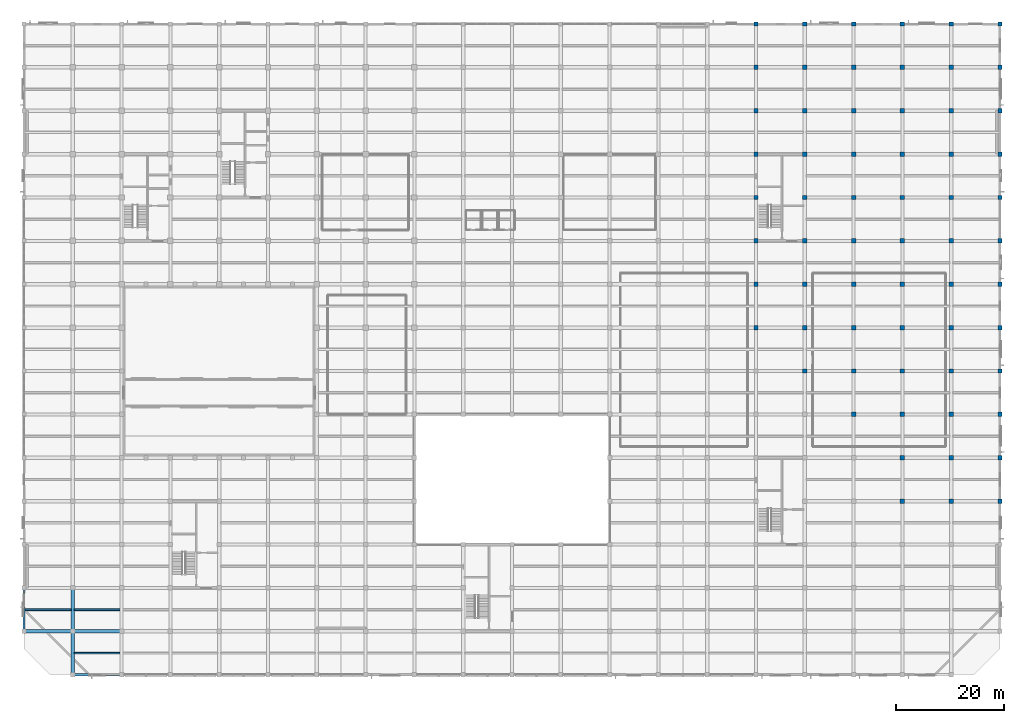
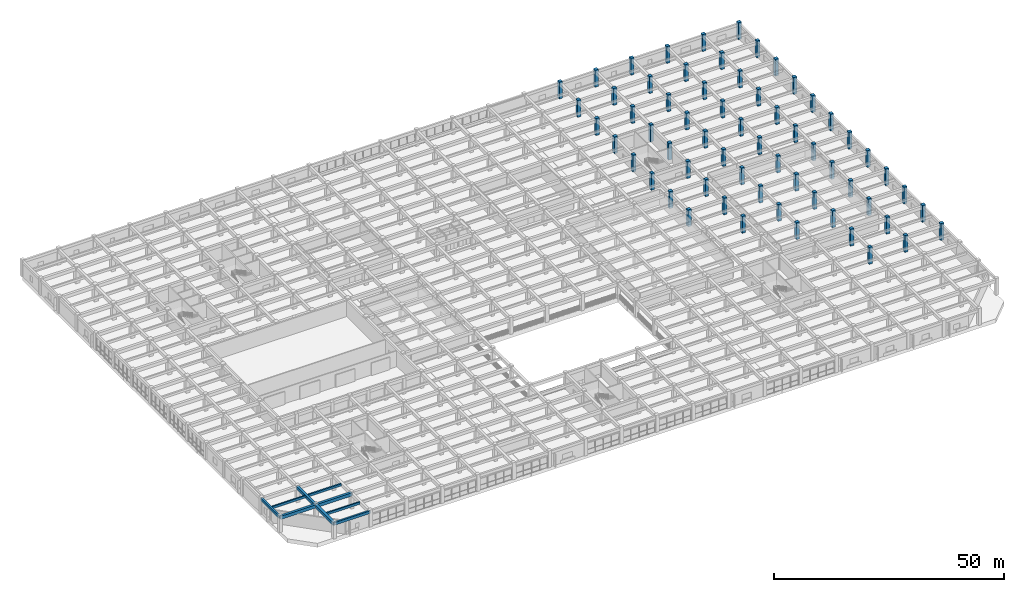
# One storey, part 2 of 50: 63 columns, 9 beams.
"""IFC4 building model written with IfcOpenShell, lengths in metres."""

from ifc_helpers import new_model, si_unit, direction, frame, origin, origin_2d, place, context, subcontext, project, spatial, rectangle, extrude, material, material_profile, profile_set, type_object, element, save


model = new_model("IFC4")

# Units and contexts
model_context = context("Model", 3, precision=1e-05, world=origin(), true_north=direction((0.0, 1.0)))
body_context = subcontext(model_context, "Body", "Model", "MODEL_VIEW")
ifc_project = project(units=[si_unit("LENGTHUNIT", "METRE"), si_unit("AREAUNIT", "SQUARE_METRE"), si_unit("VOLUMEUNIT", "CUBIC_METRE"), si_unit("PLANEANGLEUNIT", "RADIAN"), si_unit("MASSUNIT", "GRAM", prefix="KILO")], contexts=[model_context])

# Site, building, storey
site_placement = place(None, origin())
site = spatial("IfcSite", under=ifc_project, at=site_placement, CompositionType="ELEMENT")
building_placement = place(site_placement, origin())
building = spatial("IfcBuilding", under=site, at=building_placement, Name="Zaverband Oceanarium and Marine Research Institute", CompositionType="ELEMENT")
storey_placement = place(building_placement, frame((0.0, 0.0, 4.5)))
storey = spatial("IfcBuildingStorey", under=building, at=storey_placement, Name="L01", CompositionType="ELEMENT", Elevation=4.5)

# Columns
ifc_material_1 = material(Name="Concrete C50/60", Category="concrete")
ifc_material_profile_1 = material_profile(ifc_material_1, rectangle(XDim=0.800048828125, YDim=0.800048828125, at=origin_2d()), Name="RC800x800")
ifc_profile_set_1 = profile_set([ifc_material_profile_1], Name="Concrete C50/60")
column_type = type_object("IfcColumnType", Name="COL-C800", PredefinedType="COLUMN", material=ifc_profile_set_1)
for number, where, z_axis, x_axis, name in (
    (1, (135.0, 64.0, 0.0), (0.0, 0.0, 1.0), (1.0, 0.0, 0.0), "Reinforced concrete column RC800x800 COL-C800"),
    (2, (135.0, 72.0, 0.0), (0.0, 0.0, 1.0), (1.0, 0.0, 0.0), "Reinforced concrete column RC800x800 COL-C800"),
    (3, (135.0, 80.0, 0.0), (0.0, 0.0, 1.0), (1.0, 0.0, 0.0), "Reinforced concrete column RC800x800 COL-C800"),
    (4, (135.0, 88.0, 0.0), (0.0, 0.0, 1.0), (1.0, 0.0, 0.0), "Reinforced concrete column RC800x800 COL-C800"),
    (5, (135.0, 96.0, 0.0), (0.0, 0.0, 1.0), (1.0, 0.0, 0.0), "Reinforced concrete column RC800x800 COL-C800"),
    (6, (135.0, 104.0, 0.0), (0.0, 0.0, 1.0), (1.0, 0.0, 0.0), "Reinforced concrete column RC800x800 COL-C800"),
    (7, (135.0, 112.0, 0.0), (0.0, 0.0, 1.0), (1.0, 0.0, 0.0), "Reinforced concrete column RC800x800 COL-C800"),
    (8, (135.0, 120.0, 0.0), (0.0, 0.0, 1.0), (1.0, 0.0, 0.0), "Reinforced concrete column RC800x800 COL-C800"),
    (9, (144.0, 56.0, 0.0), (0.0, 0.0, 1.0), (1.0, 0.0, 0.0), "Reinforced concrete column RC800x800 COL-C800"),
    (10, (144.0, 64.0, 0.0), (0.0, 0.0, 1.0), (1.0, 0.0, 0.0), "Reinforced concrete column RC800x800 COL-C800"),
    (11, (144.0, 72.0, 0.0), (0.0, 0.0, 1.0), (1.0, 0.0, 0.0), "Reinforced concrete column RC800x800 COL-C800"),
    (12, (144.0, 80.0, 0.0), (0.0, 0.0, 1.0), (1.0, 0.0, 0.0), "Reinforced concrete column RC800x800 COL-C800"),
    (13, (144.0, 88.0, 0.0), (0.0, 0.0, 1.0), (1.0, 0.0, 0.0), "Reinforced concrete column RC800x800 COL-C800"),
    (14, (144.0, 96.0, 0.0), (0.0, 0.0, 1.0), (1.0, 0.0, 0.0), "Reinforced concrete column RC800x800 COL-C800"),
    (15, (144.0, 104.0, 0.0), (0.0, 0.0, 1.0), (1.0, 0.0, 0.0), "Reinforced concrete column RC800x800 COL-C800"),
    (16, (144.0, 112.0, 0.0), (0.0, 0.0, 1.0), (1.0, 0.0, 0.0), "Reinforced concrete column RC800x800 COL-C800"),
    (17, (144.0, 120.0, 0.0), (0.0, 0.0, 1.0), (1.0, 0.0, 0.0), "Reinforced concrete column RC800x800 COL-C800"),
    (18, (153.0, 48.0, 0.0), (0.0, 0.0, 1.0), (1.0, 0.0, 0.0), "Reinforced concrete column RC800x800 COL-C800"),
    (19, (153.0, 56.0, 0.0), (0.0, 0.0, 1.0), (1.0, 0.0, 0.0), "Reinforced concrete column RC800x800 COL-C800"),
    (20, (153.0, 64.0, 0.0), (0.0, 0.0, 1.0), (1.0, 0.0, 0.0), "Reinforced concrete column RC800x800 COL-C800"),
    (21, (153.0, 72.0, 0.0), (0.0, 0.0, 1.0), (1.0, 0.0, 0.0), "Reinforced concrete column RC800x800 COL-C800"),
    (22, (153.0, 80.0, 0.0), (0.0, 0.0, 1.0), (1.0, 0.0, 0.0), "Reinforced concrete column RC800x800 COL-C800"),
    (23, (153.0, 88.0, 0.0), (0.0, 0.0, 1.0), (1.0, 0.0, 0.0), "Reinforced concrete column RC800x800 COL-C800"),
    (24, (153.0, 96.0, 0.0), (0.0, 0.0, 1.0), (1.0, 0.0, 0.0), "Reinforced concrete column RC800x800 COL-C800"),
    (25, (153.0, 104.0, 0.0), (0.0, 0.0, 1.0), (1.0, 0.0, 0.0), "Reinforced concrete column RC800x800 COL-C800"),
    (26, (153.0, 112.0, 0.0), (0.0, 0.0, 1.0), (1.0, 0.0, 0.0), "Reinforced concrete column RC800x800 COL-C800"),
    (27, (153.0, 120.0, 0.0), (0.0, 0.0, 1.0), (1.0, 0.0, 0.0), "Reinforced concrete column RC800x800 COL-C800"),
    (28, (162.0, 32.0, 0.0), (0.0, 0.0, 1.0), (1.0, 0.0, 0.0), "Reinforced concrete column RC800x800 COL-C800"),
    (29, (162.0, 40.0, 0.0), (0.0, 0.0, 1.0), (1.0, 0.0, 0.0), "Reinforced concrete column RC800x800 COL-C800"),
    (30, (162.0, 48.0, 0.0), (0.0, 0.0, 1.0), (1.0, 0.0, 0.0), "Reinforced concrete column RC800x800 COL-C800"),
    (31, (162.0, 56.0, 0.0), (0.0, 0.0, 1.0), (1.0, 0.0, 0.0), "Reinforced concrete column RC800x800 COL-C800"),
    (32, (162.0, 64.0, 0.0), (0.0, 0.0, 1.0), (1.0, 0.0, 0.0), "Reinforced concrete column RC800x800 COL-C800"),
    (33, (162.0, 72.0, 0.0), (0.0, 0.0, 1.0), (1.0, 0.0, 0.0), "Reinforced concrete column RC800x800 COL-C800"),
    (34, (162.0, 80.0, 0.0), (0.0, 0.0, 1.0), (1.0, 0.0, 0.0), "Reinforced concrete column RC800x800 COL-C800"),
    (35, (162.0, 88.0, 0.0), (0.0, 0.0, 1.0), (1.0, 0.0, 0.0), "Reinforced concrete column RC800x800 COL-C800"),
    (36, (162.0, 96.0, 0.0), (0.0, 0.0, 1.0), (1.0, 0.0, 0.0), "Reinforced concrete column RC800x800 COL-C800"),
    (37, (162.0, 104.0, 0.0), (0.0, 0.0, 1.0), (1.0, 0.0, 0.0), "Reinforced concrete column RC800x800 COL-C800"),
    (38, (162.0, 112.0, 0.0), (0.0, 0.0, 1.0), (1.0, 0.0, 0.0), "Reinforced concrete column RC800x800 COL-C800"),
    (39, (162.0, 120.0, 0.0), (0.0, 0.0, 1.0), (1.0, 0.0, 0.0), "Reinforced concrete column RC800x800 COL-C800"),
    (40, (171.0, 32.0, 0.0), (0.0, 0.0, 1.0), (1.0, 0.0, 0.0), "Reinforced concrete column RC800x800 COL-C800"),
    (41, (171.0, 40.0, 0.0), (0.0, 0.0, 1.0), (1.0, 0.0, 0.0), "Reinforced concrete column RC800x800 COL-C800"),
    (42, (171.0, 48.0, 0.0), (0.0, 0.0, 1.0), (1.0, 0.0, 0.0), "Reinforced concrete column RC800x800 COL-C800"),
    (43, (171.0, 56.0, 0.0), (0.0, 0.0, 1.0), (1.0, 0.0, 0.0), "Reinforced concrete column RC800x800 COL-C800"),
    (44, (171.0, 64.0, 0.0), (0.0, 0.0, 1.0), (1.0, 0.0, 0.0), "Reinforced concrete column RC800x800 COL-C800"),
    (45, (171.0, 72.0, 0.0), (0.0, 0.0, 1.0), (1.0, 0.0, 0.0), "Reinforced concrete column RC800x800 COL-C800"),
    (46, (171.0, 80.0, 0.0), (0.0, 0.0, 1.0), (1.0, 0.0, 0.0), "Reinforced concrete column RC800x800 COL-C800"),
    (47, (171.0, 88.0, 0.0), (0.0, 0.0, 1.0), (1.0, 0.0, 0.0), "Reinforced concrete column RC800x800 COL-C800"),
    (48, (171.0, 96.0, 0.0), (0.0, 0.0, 1.0), (1.0, 0.0, 0.0), "Reinforced concrete column RC800x800 COL-C800"),
    (49, (171.0, 104.0, 0.0), (0.0, 0.0, 1.0), (1.0, 0.0, 0.0), "Reinforced concrete column RC800x800 COL-C800"),
    (50, (171.0, 112.0, 0.0), (0.0, 0.0, 1.0), (1.0, 0.0, 0.0), "Reinforced concrete column RC800x800 COL-C800"),
    (51, (171.0, 120.0, 0.0), (0.0, 0.0, 1.0), (1.0, 0.0, 0.0), "Reinforced concrete column RC800x800 COL-C800"),
    (52, (180.0, 32.0, 0.0), (0.0, 0.0, 1.0), (1.0, 0.0, 0.0), "Reinforced concrete column RC800x800 COL-C800"),
    (53, (180.0, 40.0, 0.0), (0.0, 0.0, 1.0), (1.0, 0.0, 0.0), "Reinforced concrete column RC800x800 COL-C800"),
    (54, (180.0, 48.0, 0.0), (0.0, 0.0, 1.0), (1.0, 0.0, 0.0), "Reinforced concrete column RC800x800 COL-C800"),
    (55, (180.0, 56.0, 0.0), (0.0, 0.0, 1.0), (1.0, 0.0, 0.0), "Reinforced concrete column RC800x800 COL-C800"),
    (56, (180.0, 64.0, 0.0), (0.0, 0.0, 1.0), (1.0, 0.0, 0.0), "Reinforced concrete column RC800x800 COL-C800"),
    (57, (180.0, 72.0, 0.0), (0.0, 0.0, 1.0), (1.0, 0.0, 0.0), "Reinforced concrete column RC800x800 COL-C800"),
    (58, (180.0, 80.0, 0.0), (0.0, 0.0, 1.0), (1.0, 0.0, 0.0), "Reinforced concrete column RC800x800 COL-C800"),
    (59, (180.0, 88.0, 0.0), (0.0, 0.0, 1.0), (1.0, 0.0, 0.0), "Reinforced concrete column RC800x800 COL-C800"),
    (60, (180.0, 96.0, 0.0), (0.0, 0.0, 1.0), (1.0, 0.0, 0.0), "Reinforced concrete column RC800x800 COL-C800"),
    (61, (180.0, 104.0, 0.0), (0.0, 0.0, 1.0), (1.0, 0.0, 0.0), "Reinforced concrete column RC800x800 COL-C800"),
    (62, (180.0, 112.0, 0.0), (0.0, 0.0, 1.0), (1.0, 0.0, 0.0), "Reinforced concrete column RC800x800 COL-C800"),
    (63, (180.0, 120.0, 0.0), (0.0, 0.0, 1.0), (1.0, 0.0, 0.0), "Reinforced concrete column RC800x800 COL-C800"),
):
    element("IfcColumn", number, at=place(storey_placement, frame(where, z_axis=z_axis, x_axis=x_axis)), inside=storey, type_object=column_type, Name=name, PredefinedType="COLUMN", context=body_context, shape_type="SweptSolid", body=[
        extrude(rectangle(XDim=0.800048828125, YDim=0.800048828125, at=origin_2d()), origin(), (0.0, 0.0, 1.0), 4.5),
    ])

# Beams
ifc_material_2 = material(Name="Concrete C40/50", Category="concrete")
ifc_material_profile_2 = material_profile(ifc_material_2, rectangle(XDim=0.60009765625, YDim=0.85009765625, at=origin_2d()), Name="RC600x850")
ifc_profile_set_2 = profile_set([ifc_material_profile_2], Name="Concrete C40/50")
beam_type_1 = type_object("IfcBeamType", Name="BM-600x850", PredefinedType="BEAM", material=ifc_profile_set_2)
for number, where, z_axis, x_axis, name in (
    (64, (0.0, 8.0, 3.7548828125), (1.0, 0.0, 0.0), (0.0, 1.0, 0.0), "Primary floor girder BM-600x850"),
    (65, (9.0, 8.0, 3.7548828125), (1.0, 0.0, 0.0), (0.0, 1.0, 0.0), "Primary floor girder BM-600x850"),
):
    element("IfcBeam", number, at=place(storey_placement, frame(where, z_axis=z_axis, x_axis=x_axis)), inside=storey, type_object=beam_type_1, Name=name, PredefinedType="BEAM", context=body_context, shape_type="SweptSolid", body=[
        extrude(rectangle(XDim=0.60009765625, YDim=0.85009765625, at=origin_2d()), origin(), (0.0, 0.0, 1.0), 9.0),
    ])
for number, where, z_axis, x_axis, name in (
    (66, (9.0, 0.0, 3.7548828125), (0.0, 1.0, 0.0), (-1.0, 0.0, 0.0), "Primary floor girder BM-600x850"),
    (67, (9.0, 8.0, 3.7548828125), (0.0, 1.0, 0.0), (-1.0, 0.0, 0.0), "Primary floor girder BM-600x850"),
):
    element("IfcBeam", number, at=place(storey_placement, frame(where, z_axis=z_axis, x_axis=x_axis)), inside=storey, type_object=beam_type_1, Name=name, PredefinedType="BEAM", context=body_context, shape_type="SweptSolid", body=[
        extrude(rectangle(XDim=0.60009765625, YDim=0.85009765625, at=origin_2d()), origin(), (0.0, 0.0, 1.0), 8.0),
    ])
ifc_material_profile_3 = material_profile(ifc_material_2, rectangle(XDim=0.35009765625, YDim=0.60009765625, at=origin_2d()), Name="RC350x600")
ifc_profile_set_3 = profile_set([ifc_material_profile_3], Name="Concrete C40/50")
beam_type_2 = type_object("IfcBeamType", Name="JST-350x600", PredefinedType="JOIST", material=ifc_profile_set_3)
beam_1_placement = place(storey_placement, frame((0.22509765625, 12.0, 3.8798828125), z_axis=(1.0, 0.0, 0.0), x_axis=(0.0, 1.0, 0.0)))
element("IfcBeam", 68, at=beam_1_placement, inside=storey, type_object=beam_type_2, Name="Secondary floor joist JST-350x600", PredefinedType="JOIST", context=body_context, shape_type="SweptSolid", body=[
    extrude(rectangle(XDim=0.35009765625, YDim=0.60009765625, at=origin_2d()), origin(), (0.0, 0.0, 1.0), 8.474853515625),
])
for number, where, z_axis, x_axis, name in (
    (69, (9.300048828125, 4.0, 3.8798828125), (1.0, 0.0, 0.0), (0.0, 1.0, 0.0), "Secondary floor joist JST-350x600"),
    (70, (9.300048828125, 12.0, 3.8798828125), (1.0, 0.0, 0.0), (0.0, 1.0, 0.0), "Secondary floor joist JST-350x600"),
):
    element("IfcBeam", number, at=place(storey_placement, frame(where, z_axis=z_axis, x_axis=x_axis)), inside=storey, type_object=beam_type_2, Name=name, PredefinedType="JOIST", context=body_context, shape_type="SweptSolid", body=[
        extrude(rectangle(XDim=0.35009765625, YDim=0.60009765625, at=origin_2d()), origin(), (0.0, 0.0, 1.0), 8.39990234375),
    ])
ifc_material_profile_4 = material_profile(ifc_material_2, rectangle(XDim=0.449951171875, YDim=0.699951171875, at=origin_2d()), Name="RC450x700")
ifc_profile_set_4 = profile_set([ifc_material_profile_4], Name="Concrete C40/50")
beam_type_3 = type_object("IfcBeamType", Name="SPN-450x700", PredefinedType="SPANDREL", material=ifc_profile_set_4)
beam_2_placement = place(storey_placement, frame((9.0, 0.0, 3.830078125), z_axis=(1.0, 0.0, 0.0), x_axis=(0.0, 1.0, 0.0)))
element("IfcBeam", 71, at=beam_2_placement, inside=storey, type_object=beam_type_3, Name="Perimeter spandrel beam SPN-450x700", PredefinedType="SPANDREL", context=body_context, shape_type="SweptSolid", body=[
    extrude(rectangle(XDim=0.449951171875, YDim=0.699951171875, at=origin_2d()), origin(), (0.0, 0.0, 1.0), 9.0),
])
beam_3_placement = place(storey_placement, frame((0.0, 8.0, 3.830078125), z_axis=(0.0, 1.0, 0.0), x_axis=(-1.0, 0.0, 0.0)))
element("IfcBeam", 72, at=beam_3_placement, inside=storey, type_object=beam_type_3, Name="Perimeter spandrel beam SPN-450x700", PredefinedType="SPANDREL", context=body_context, shape_type="SweptSolid", body=[
    extrude(rectangle(XDim=0.449951171875, YDim=0.699951171875, at=origin_2d()), origin(), (0.0, 0.0, 1.0), 8.0),
])

save(model, "model.ifc")
